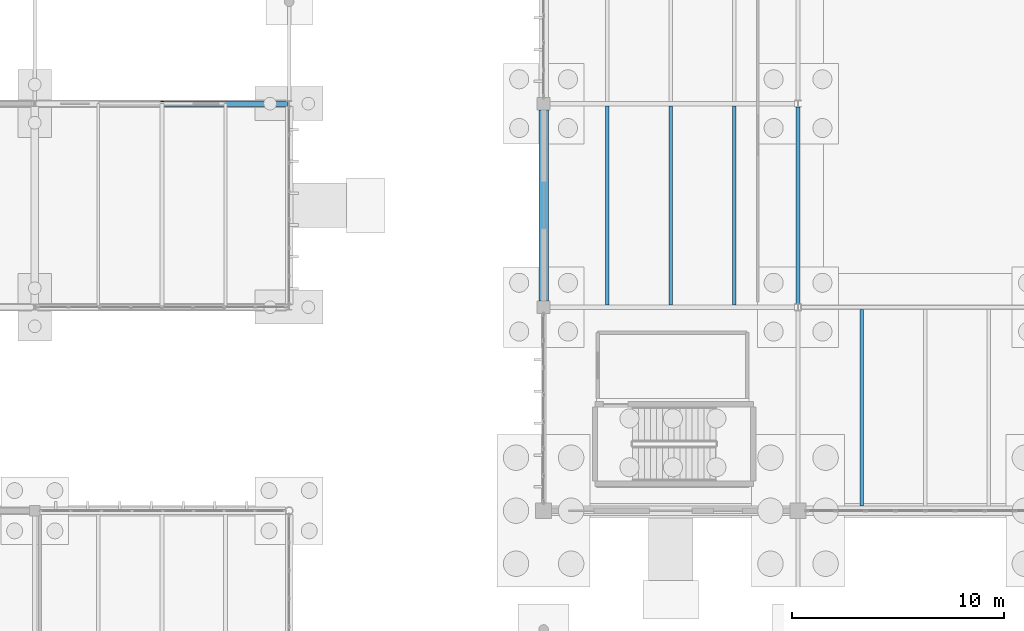
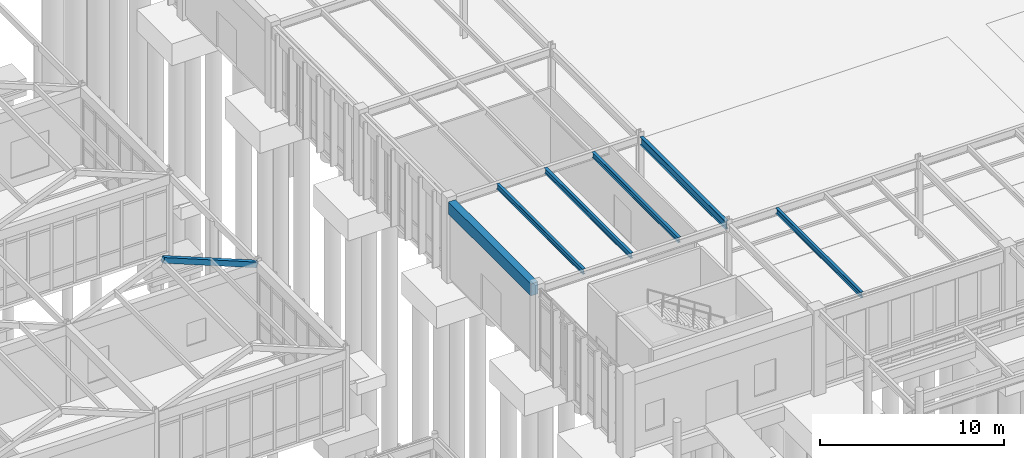
# One storey, part 49 of 188: 6 beams, 1 member.
"""IFC4 building model written with IfcOpenShell, lengths in metres."""

from ifc_helpers import new_model, si_unit, direction, frame, origin, origin_2d, place, context, subcontext, project, spatial, rectangle, hollow_rectangle, i_section, extrude, material, material_profile, profile_set, type_object, element, save


model = new_model("IFC4")

# Units and contexts
model_context = context("Model", 3, precision=1e-05, world=origin(), true_north=direction((0.0, 1.0)))
body_context = subcontext(model_context, "Body", "Model", "MODEL_VIEW")
ifc_project = project(units=[si_unit("LENGTHUNIT", "METRE"), si_unit("AREAUNIT", "SQUARE_METRE"), si_unit("VOLUMEUNIT", "CUBIC_METRE"), si_unit("PLANEANGLEUNIT", "RADIAN"), si_unit("MASSUNIT", "GRAM", prefix="KILO")], contexts=[model_context])

# Site, building, storey
site_placement = place(None, origin())
site = spatial("IfcSite", under=ifc_project, at=site_placement, CompositionType="ELEMENT")
building_placement = place(site_placement, origin())
building = spatial("IfcBuilding", under=site, at=building_placement, Name="Pandanus Reach Market Hall", CompositionType="ELEMENT")
storey_placement = place(building_placement, origin())
storey = spatial("IfcBuildingStorey", under=building, at=storey_placement, Name="L00", CompositionType="ELEMENT", Elevation=0.0)

# Beams
ifc_material_1 = material(Name="Concrete N40 (40 MPa)", Category="concrete")
ifc_material_profile_1 = material_profile(ifc_material_1, rectangle(XDim=0.449951171875, YDim=0.800048828125, at=origin_2d()), Name="RC450x800", Category="LoadBearing")
ifc_profile_set_1 = profile_set([ifc_material_profile_1], Name="Concrete N40 (40 MPa)")
beam_type_1 = type_object("IfcBeamType", Name="BM-RC450-E", PredefinedType="SPANDREL", material=ifc_profile_set_1)
beam_1_placement = place(storey_placement, frame((48.0, 38.697998046875, 4.719970703125), z_axis=(0.0, 1.0, 0.0), x_axis=(-1.0, 0.0, 0.0)))
element("IfcBeam", 1, at=beam_1_placement, inside=storey, type_object=beam_type_1, Name="Framing beam BM-RC450-E L00.1085", PredefinedType="SPANDREL", context=body_context, shape_type="SweptSolid", body=[
    extrude(rectangle(XDim=0.449951171875, YDim=0.800048828125, at=origin_2d()), origin(), (0.0, 0.0, 1.0), 9.00390625),
])
ifc_material_2 = material(Name="Steel Grade 350 (350 MPa)", Category="steel")
ifc_material_profile_2 = material_profile(ifc_material_2, i_section(OverallWidth=0.208984375, OverallDepth=0.532958984375, WebThickness=0.01025390625, FlangeThickness=0.015625, at=origin_2d()), Name="530UB92.4", Category="LoadBearing")
ifc_profile_set_2 = profile_set([ifc_material_profile_2], Name="Steel Grade 350 (350 MPa)")
beam_type_2 = type_object("IfcBeamType", Name="BM-UB530-I", PredefinedType="BEAM", material=ifc_profile_set_2)
beam_2_placement = place(storey_placement, frame((60.0, 38.555419921875, 4.85302734375), z_axis=(0.0, 1.0, 0.0), x_axis=(-1.0, 0.0, 0.0)))
element("IfcBeam", 2, at=beam_2_placement, inside=storey, type_object=beam_type_2, Name="Framing beam BM-UB530-I L00.1086", PredefinedType="BEAM", context=body_context, shape_type="SweptSolid", body=[
    extrude(i_section(OverallWidth=0.208984375, OverallDepth=0.532958984375, WebThickness=0.01025390625, FlangeThickness=0.015625, at=origin_2d()), origin(), (0.0, 0.0, 1.0), 9.2890625),
])
ifc_material_profile_3 = material_profile(ifc_material_2, i_section(OverallWidth=0.1708984375, OverallDepth=0.35595703125, WebThickness=0.00732421875, FlangeThickness=0.011474609375, at=origin_2d()), Name="360UB50.7", Category="LoadBearing")
ifc_profile_set_3 = profile_set([ifc_material_profile_3], Name="Steel Grade 350 (350 MPa)")
beam_type_3 = type_object("IfcBeamType", Name="JS-UB360-I", PredefinedType="JOIST", material=ifc_profile_set_3)
for number, where, z_axis, x_axis, name in (
    (3, (51.0, 38.50244140625, 4.941650390625), (0.0, 1.0, 0.0), (-1.0, 0.0, 0.0), "Secondary joist JS-UB360-I L00.1087"),
    (4, (54.0, 38.50244140625, 4.941650390625), (0.0, 1.0, 0.0), (-1.0, 0.0, 0.0), "Secondary joist JS-UB360-I L00.1088"),
    (5, (57.0, 38.50244140625, 4.941650390625), (0.0, 1.0, 0.0), (-1.0, 0.0, 0.0), "Secondary joist JS-UB360-I L00.1089"),
):
    element("IfcBeam", number, at=place(storey_placement, frame(where, z_axis=z_axis, x_axis=x_axis)), inside=storey, type_object=beam_type_3, Name=name, PredefinedType="JOIST", context=body_context, shape_type="SweptSolid", body=[
        extrude(i_section(OverallWidth=0.1708984375, OverallDepth=0.35595703125, WebThickness=0.00732421875, FlangeThickness=0.011474609375, at=origin_2d()), origin(), (0.0, 0.0, 1.0), 9.39501953125),
    ])
beam_3_placement = place(storey_placement, frame((63.0, 29.02294921875, 4.941650390625), z_axis=(0.0, 1.0, 0.0), x_axis=(-1.0, 0.0, 0.0)))
element("IfcBeam", 6, at=beam_3_placement, inside=storey, type_object=beam_type_3, Name="Secondary joist JS-UB360-I L00.1108", PredefinedType="JOIST", context=body_context, shape_type="SweptSolid", body=[
    extrude(i_section(OverallWidth=0.1708984375, OverallDepth=0.35595703125, WebThickness=0.00732421875, FlangeThickness=0.011474609375, at=origin_2d()), origin(), (0.0, 0.0, 1.0), 9.274658203125),
])

# Member
ifc_material_profile_4 = material_profile(ifc_material_2, hollow_rectangle(XDim=0.25, YDim=0.35009765625, WallThickness=0.012451171875, at=origin_2d()), Name="350x250x12.5RHS", Category="LoadBearing")
ifc_profile_set_4 = profile_set([ifc_material_profile_4], Name="Steel Grade 350 (350 MPa)")
member_type = type_object("IfcMemberType", Name="RF-RHS350-E", PredefinedType="RAFTER", material=ifc_profile_set_4)
member_placement = place(storey_placement, frame((30.0, 48.0, 7.3486328125), z_axis=(0.927845665363, 0.0, -0.372964369971), x_axis=(0.0, 1.0, 0.0)))
element("IfcMember", 7, at=member_placement, inside=storey, type_object=member_type, Name="Steep gable rafter R1.B3E", PredefinedType="RAFTER", context=body_context, shape_type="SweptSolid", body=[
    extrude(hollow_rectangle(XDim=0.25, YDim=0.35009765625, WallThickness=0.012451171875, at=origin_2d()), origin(), (0.0, 0.0, 1.0), 6.337158203125),
])

save(model, "model.ifc")
